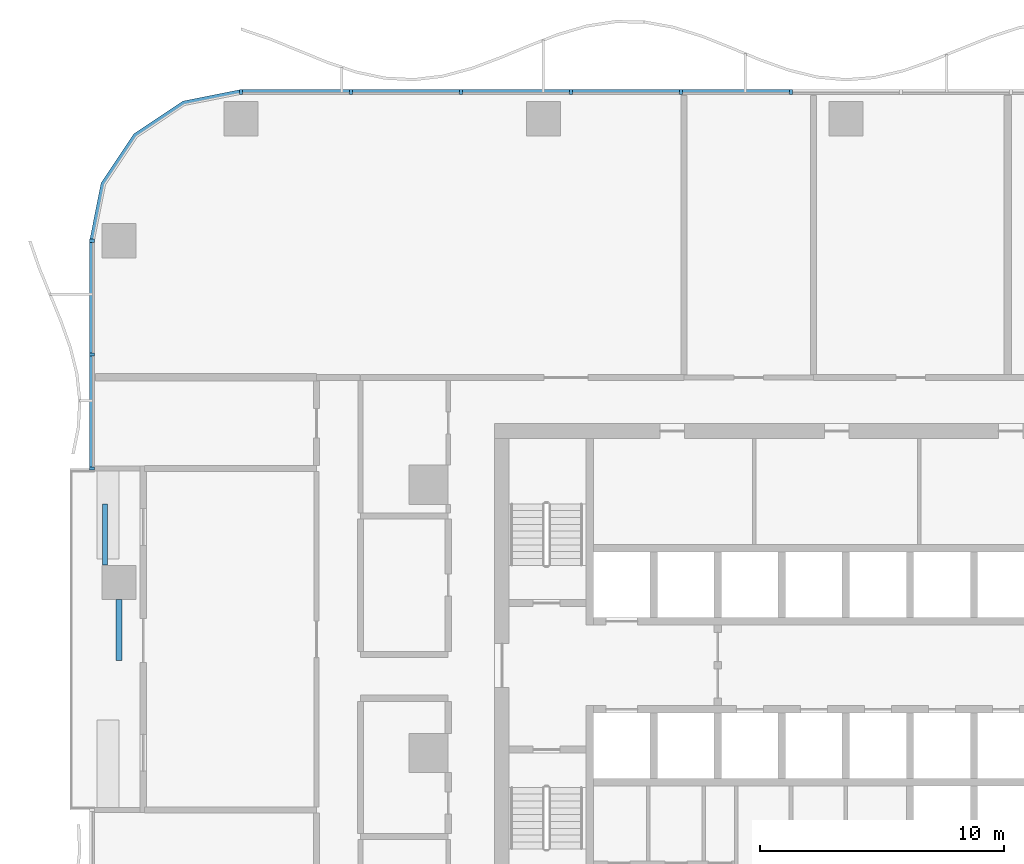
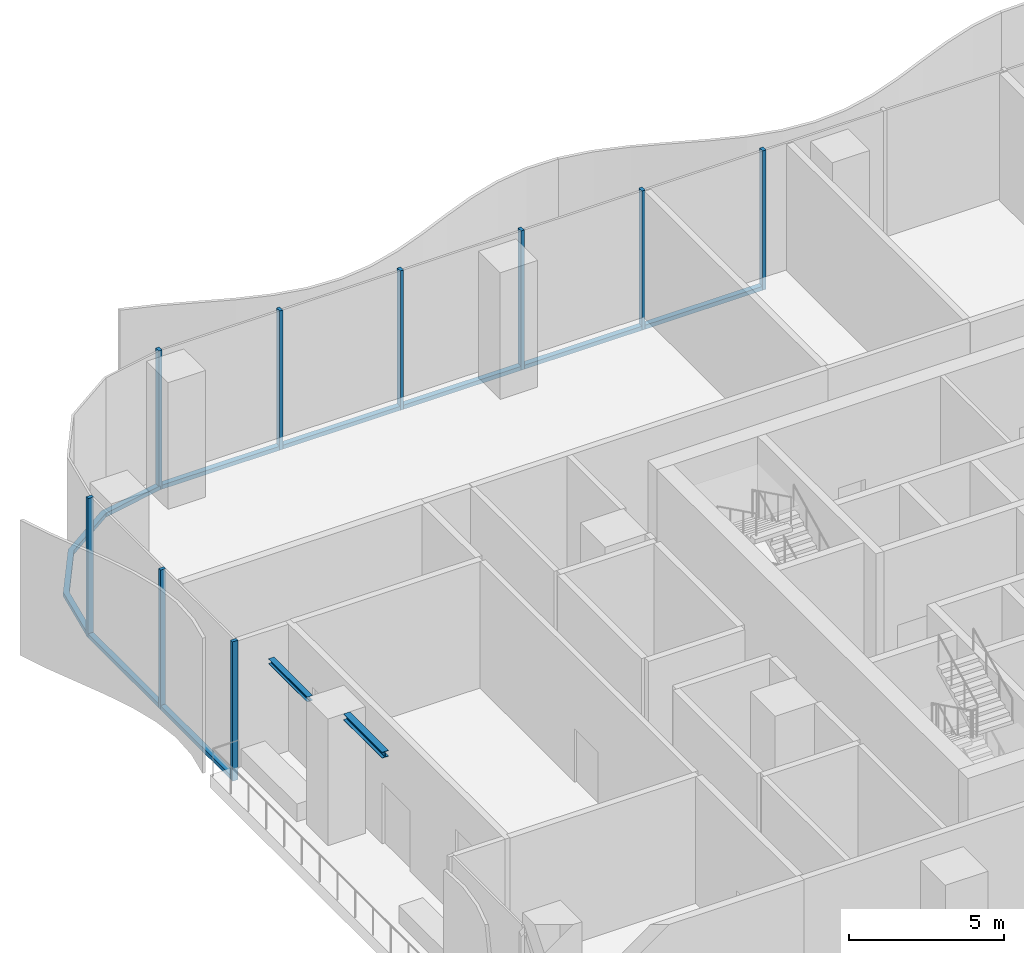
# One storey, part 4 of 21: 17 members, 2 beams, 3 elements without a shape of their own.
"""IFC4 building model written with IfcOpenShell, lengths in metres."""

import ifcopenshell
import ifcopenshell.guid

model = None  # the IFC model being written
_history = None  # IfcOwnerHistory: only IFC2X3 demands one
_inside = {}  # id of a spatial element -> (the spatial element, [elements in it])
_under = {}  # id of a project, library or spatial element -> (it, [spatial elements below it])
_declared = {}  # id of a project -> (the project, [libraries it declares])
_typed = {}  # id of a type object -> (the type object, [elements of that type])
_made_of = {}  # id of a material, layer set ... -> (it, [elements and type objects made of it])


def new_model(schema):
    """Start an empty IFC model of exactly this schema.

    Asked for "IFC4X3", IfcOpenShell would pick the latest addendum, in which some entities
    have other attributes; the version numbers below select the first issue.
    IFC2X3 requires an IfcOwnerHistory on every rooted entity: one is made here for all.
    """
    global model, _history
    if schema == "IFC4X3":
        model = ifcopenshell.file(schema_version=(4, 3, 0, 0))
    else:
        model = ifcopenshell.file(schema=schema)
    _inside.clear()
    _under.clear()
    _declared.clear()
    _typed.clear()
    _made_of.clear()
    _history = None
    if model.schema == "IFC2X3":
        org = make("IfcOrganization", Name="unknown")
        user = make(
            "IfcPersonAndOrganization",
            ThePerson=make("IfcPerson", FamilyName="unknown"),
            TheOrganization=org,
        )
        app = make(
            "IfcApplication",
            ApplicationDeveloper=org,
            Version="unknown",
            ApplicationFullName="unknown",
            ApplicationIdentifier="unknown",
        )
        _history = make(
            "IfcOwnerHistory",
            OwningUser=user,
            OwningApplication=app,
            ChangeAction="ADDED",
            CreationDate=0,
        )
    return model


def make(cls, **values):
    """One entity of the class cls with the attributes given. An attribute that is None is left unset."""
    return model.create_entity(
        cls, **{name: value for name, value in values.items() if value is not None}
    )


def rooted(cls, **values):
    """An entity with a GlobalId (a new one), such as an element, a storey or a relation."""
    return make(cls, GlobalId=ifcopenshell.guid.new(), OwnerHistory=_history, **values)


def si_unit(unit_type, name, prefix=None):
    """IfcSIUnit, for example si_unit("LENGTHUNIT", "METRE", prefix="MILLI")."""
    return make("IfcSIUnit", UnitType=unit_type, Prefix=prefix, Name=name)


def assignment(units):
    """IfcUnitAssignment: the units of a project."""
    return None if units is None else make("IfcUnitAssignment", Units=units)


def point(xyz):
    """IfcCartesianPoint."""
    return None if xyz is None else make("IfcCartesianPoint", Coordinates=xyz)


def direction(xyz):
    """IfcDirection."""
    return None if xyz is None else make("IfcDirection", DirectionRatios=xyz)


def frame(location, z_axis=None, x_axis=None):
    """IfcAxis2Placement3D, a coordinate frame: its origin and axes. An axis left out is left unset."""
    return make(
        "IfcAxis2Placement3D",
        Location=point(location),
        Axis=direction(z_axis),
        RefDirection=direction(x_axis),
    )


def frame_2d(location, x_axis=None):
    """IfcAxis2Placement2D, a coordinate frame in the plane: its origin and x axis."""
    return make(
        "IfcAxis2Placement2D", Location=point(location), RefDirection=direction(x_axis)
    )


def origin():
    """The frame at (0, 0, 0) with its axes left unset."""
    return frame((0.0, 0.0, 0.0))


def origin_2d():
    """The frame at (0, 0) in the plane with its x axis left unset."""
    return frame_2d((0.0, 0.0))


def place(relative_to, where):
    """IfcLocalPlacement: puts the frame where relative to a parent placement (None: the world)."""
    return make(
        "IfcLocalPlacement", PlacementRelTo=relative_to, RelativePlacement=where
    )


def context(
    kind, dimensions, precision=None, world=None, true_north=None, identifier=None
):
    """IfcGeometricRepresentationContext, for example the 3D "Model" context."""
    return make(
        "IfcGeometricRepresentationContext",
        ContextIdentifier=identifier,
        ContextType=kind,
        CoordinateSpaceDimension=dimensions,
        Precision=precision,
        WorldCoordinateSystem=world,
        TrueNorth=true_north,
    )


def subcontext(parent, identifier, kind, view, scale=None):
    """IfcGeometricRepresentationSubContext, for example "Body" below "Model"."""
    return make(
        "IfcGeometricRepresentationSubContext",
        ContextIdentifier=identifier,
        ContextType=kind,
        ParentContext=parent,
        TargetScale=scale,
        TargetView=view,
    )


def project(units=None, contexts=None):
    """IfcProject with its units and contexts."""
    return rooted(
        "IfcProject",
        Name="project",
        RepresentationContexts=contexts,
        UnitsInContext=assignment(units),
    )


def spatial(cls, under=None, at=None, **own):
    """A site, building, storey or space (cls), placed at a placement, below another one or the project."""
    s = rooted(cls, ObjectPlacement=at, **own)
    if under is not None:
        _under.setdefault(under.id(), (under, []))[1].append(s)
    return s


def polyline(points):
    """IfcPolyline through the points."""
    return make("IfcPolyline", Points=[point(p) for p in points])


def profile(cls, at=None, kind="AREA", **sizes):
    """A parametric profile (cls). Its sizes go by their IFC names, for example OverallWidth=200.0."""
    return make(cls, ProfileType=kind, Position=at, **sizes)


def rectangle(**sizes):
    """IfcRectangleProfileDef."""
    return profile("IfcRectangleProfileDef", **sizes)


def i_section(**sizes):
    """IfcIShapeProfileDef."""
    return profile("IfcIShapeProfileDef", **sizes)


def outline(outer, holes=None, kind="AREA"):
    """IfcArbitraryClosedProfileDef: a profile drawn as a closed curve; with holes, ...WithVoids."""
    if holes is None:
        return make("IfcArbitraryClosedProfileDef", ProfileType=kind, OuterCurve=outer)
    return make(
        "IfcArbitraryProfileDefWithVoids",
        ProfileType=kind,
        OuterCurve=outer,
        InnerCurves=holes,
    )


def extrude(swept, where, along, depth):
    """IfcExtrudedAreaSolid: the profile swept, set in the frame where, extruded along a direction by depth."""
    return make(
        "IfcExtrudedAreaSolid",
        SweptArea=swept,
        Position=where,
        ExtrudedDirection=direction(along),
        Depth=depth,
    )


def shape(context_of_items, identifier, shape_type, items):
    """IfcShapeRepresentation: the items that make up one representation, for example the "Body"."""
    return make(
        "IfcShapeRepresentation",
        ContextOfItems=context_of_items,
        RepresentationIdentifier=identifier,
        RepresentationType=shape_type,
        Items=items,
    )


def material(Name=None, Category=None):
    """IfcMaterial."""
    return make("IfcMaterial", Name=Name, Category=Category)


def material_profile(
    of_material, cross_section, Name=None, Category=None, Priority=None
):
    """IfcMaterialProfile: a cross section and its material."""
    return make(
        "IfcMaterialProfile",
        Name=Name,
        Material=of_material,
        Profile=cross_section,
        Priority=Priority,
        Category=Category,
    )


def profile_set(profiles, Name=None, composite=None):
    """IfcMaterialProfileSet."""
    return make(
        "IfcMaterialProfileSet",
        Name=Name,
        MaterialProfiles=profiles,
        CompositeProfile=composite,
    )


def made_of(thing, what):
    """Note that an element or type object is made of a material, layer set ...; save() writes the relation."""
    if what is not None:
        _made_of.setdefault(what.id(), (what, []))[1].append(thing)
    return thing


def type_object(cls, material=None, **own):
    """A type object (cls), such as IfcWallType, which elements share."""
    return made_of(rooted(cls, **own), material)


def element(
    cls,
    number,
    at=None,
    inside=None,
    cuts=None,
    type_object=None,
    material=None,
    context=None,
    identifier="Body",
    shape_type=None,
    held_by="IfcProductDefinitionShape",
    body=None,
    shapes=None,
    **own,
):
    """One element of the class cls, such as IfcWall. Its Tag is "e" and its number.

    at: its placement. inside: the storey or other place that contains it. cuts: it is an
    opening in that element (IfcRelVoidsElement). A single representation is given by context,
    identifier, shape_type and body (its items); several are given by shapes. held_by: the class
    of the entity that holds the representations. save() writes the other relations.
    """
    e = rooted(cls, Tag="e%d" % number, ObjectPlacement=at, **own)
    if body is not None:
        shapes = [shape(context, identifier, shape_type, body)]
    if shapes is not None:
        e.Representation = make(held_by, Representations=shapes)
    if inside is not None:
        _inside.setdefault(inside.id(), (inside, []))[1].append(e)
    if cuts is not None:
        rooted(
            "IfcRelVoidsElement", RelatingBuildingElement=cuts, RelatedOpeningElement=e
        )
    if type_object is not None:
        _typed.setdefault(type_object.id(), (type_object, []))[1].append(e)
    return made_of(e, material)


def aggregate(whole, parts):
    """IfcRelAggregates: a whole, such as a stair, and the parts it consists of."""
    return rooted("IfcRelAggregates", RelatingObject=whole, RelatedObjects=parts)


def save(model, path):
    """Write the relations noted so far, then the file.

    IfcRelAggregates (storeys below a building ...), IfcRelContainedInSpatialStructure (elements
    in a storey), IfcRelDefinesByType, IfcRelAssociatesMaterial and IfcRelDeclares: one each for
    every whole, place, type object, material and project.
    """
    for whole, parts in _under.values():
        aggregate(whole, parts)
    for where, things in _inside.values():
        rooted(
            "IfcRelContainedInSpatialStructure",
            RelatedElements=things,
            RelatingStructure=where,
        )
    for kind, things in _typed.values():
        rooted("IfcRelDefinesByType", RelatedObjects=things, RelatingType=kind)
    for what, things in _made_of.values():
        rooted("IfcRelAssociatesMaterial", RelatedObjects=things, RelatingMaterial=what)
    for by, libraries in _declared.values():
        rooted("IfcRelDeclares", RelatingContext=by, RelatedDefinitions=libraries)
    model.write(path)


model = new_model("IFC4")

# Units and contexts
model_context = context("Model", 3, precision=1e-05, world=origin(), true_north=direction((0.0, 1.0)))
body_context = subcontext(model_context, "Body", "Model", "MODEL_VIEW")
ifc_project = project(units=[si_unit("LENGTHUNIT", "METRE"), si_unit("AREAUNIT", "SQUARE_METRE"), si_unit("VOLUMEUNIT", "CUBIC_METRE"), si_unit("PLANEANGLEUNIT", "RADIAN"), si_unit("MASSUNIT", "GRAM", prefix="KILO")], contexts=[model_context])

# Site, building, storey
site_placement = place(None, origin())
site = spatial("IfcSite", under=ifc_project, at=site_placement, CompositionType="ELEMENT")
building_placement = place(site_placement, origin())
building = spatial("IfcBuilding", under=site, at=building_placement, Name="Mopane Tessera Tower", CompositionType="ELEMENT")
storey_placement = place(building_placement, frame((0.0, 0.0, 20.0)))
storey = spatial("IfcBuildingStorey", under=building, at=storey_placement, Name="L03", CompositionType="ELEMENT", Elevation=20.0)

# Curtain wall, members
ifc_material_1 = material(Name="Aluminium frame", Category="aluminium")
curtain_wall_type = type_object("IfcCurtainWallType", Name="Podium unitised wall", PredefinedType="NOTDEFINED", material=ifc_material_1)
curtain_wall_1_placement = place(storey_placement, origin())
curtain_wall_1 = element("IfcCurtainWall", 1, at=curtain_wall_1_placement, inside=storey, type_object=curtain_wall_type, Name="e:cw:L03:N:0", PredefinedType="NOTDEFINED")
ifc_material_2 = material(Name="Aluminium frame", Category="aluminium")
ifc_material_profile_1 = material_profile(ifc_material_2, rectangle(XDim=0.125, YDim=0.199951171875, at=origin_2d()))
ifc_profile_set_1 = profile_set([ifc_material_profile_1], Name="Aluminium frame")
member_type_1 = type_object("IfcMemberType", Name="Aluminium mullion 125 x 200", PredefinedType="MULLION", material=ifc_profile_set_1)
member_1_placement = place(storey_placement, frame((-2.254638671875, 27.10009765625, -0.5), z_axis=(0.0, 0.0, 1.0), x_axis=(-1.0, 0.0, 0.0)))
member_1 = element("IfcMember", 2, at=member_1_placement, type_object=member_type_1, Name="e:cw:L03:N:0:mu6", PredefinedType="MULLION", context=body_context, shape_type="SweptSolid", body=[
    extrude(rectangle(XDim=0.125, YDim=0.199951171875, at=origin_2d()), origin(), (0.0, 0.0, 1.0), 5.5),
])
member_2_placement = place(storey_placement, frame((-6.763671875, 27.10009765625, -0.5), z_axis=(0.0, 0.0, 1.0), x_axis=(-1.0, 0.0, 0.0)))
member_2 = element("IfcMember", 3, at=member_2_placement, type_object=member_type_1, Name="e:cw:L03:N:0:mu7", PredefinedType="MULLION", context=body_context, shape_type="SweptSolid", body=[
    extrude(rectangle(XDim=0.125, YDim=0.199951171875, at=origin_2d()), origin(), (0.0, 0.0, 1.0), 5.5),
])
member_3_placement = place(storey_placement, frame((-11.272705078125, 27.10009765625, -0.5), z_axis=(0.0, 0.0, 1.0), x_axis=(-1.0, 0.0, 0.0)))
member_3 = element("IfcMember", 4, at=member_3_placement, type_object=member_type_1, Name="e:cw:L03:N:0:mu8", PredefinedType="MULLION", context=body_context, shape_type="SweptSolid", body=[
    extrude(rectangle(XDim=0.125, YDim=0.199951171875, at=origin_2d()), origin(), (0.0, 0.0, 1.0), 5.5),
])
member_4_placement = place(storey_placement, frame((-15.78173828125, 27.10009765625, -0.5), z_axis=(0.0, 0.0, 1.0), x_axis=(-1.0, 0.0, 0.0)))
member_4 = element("IfcMember", 5, at=member_4_placement, type_object=member_type_1, Name="e:cw:L03:N:0:mu9", PredefinedType="MULLION", context=body_context, shape_type="SweptSolid", body=[
    extrude(rectangle(XDim=0.125, YDim=0.199951171875, at=origin_2d()), origin(), (0.0, 0.0, 1.0), 5.5),
])
member_5_placement = place(storey_placement, frame((-20.291015625, 27.10009765625, -0.5), z_axis=(0.0, 0.0, 1.0), x_axis=(-1.0, 0.0, 0.0)))
member_5 = element("IfcMember", 6, at=member_5_placement, type_object=member_type_1, Name="e:cw:L03:N:0:mu10", PredefinedType="MULLION", context=body_context, shape_type="SweptSolid", body=[
    extrude(rectangle(XDim=0.125, YDim=0.199951171875, at=origin_2d()), origin(), (0.0, 0.0, 1.0), 5.5),
])
member_6_placement = place(storey_placement, frame((-24.800048828125, 27.10009765625, -0.5), z_axis=(0.0, 0.0, 1.0), x_axis=(-1.0, 0.0, 0.0)))
member_6 = element("IfcMember", 7, at=member_6_placement, type_object=member_type_1, Name="e:cw:L03:N:0:mu11", PredefinedType="MULLION", context=body_context, shape_type="SweptSolid", body=[
    extrude(rectangle(XDim=0.125, YDim=0.199951171875, at=origin_2d()), origin(), (0.0, 0.0, 1.0), 5.5),
])

curtain_wall_2_placement = place(storey_placement, origin())
curtain_wall_2 = element("IfcCurtainWall", 8, at=curtain_wall_2_placement, inside=storey, type_object=curtain_wall_type, Name="e:cw:L03:W:0", PredefinedType="NOTDEFINED")
member_7_placement = place(storey_placement, frame((-30.89990234375, 21.0, -0.5), z_axis=(0.0, 0.0, 1.0), x_axis=(0.0, -1.0, 0.0)))
member_7 = element("IfcMember", 9, at=member_7_placement, type_object=member_type_1, Name="e:cw:L03:W:0:mu0", PredefinedType="MULLION", context=body_context, shape_type="SweptSolid", body=[
    extrude(rectangle(XDim=0.125, YDim=0.199951171875, at=origin_2d()), origin(), (0.0, 0.0, 1.0), 5.5),
])
member_8_placement = place(storey_placement, frame((-30.89990234375, 16.333251953125, -0.5), z_axis=(0.0, 0.0, 1.0), x_axis=(0.0, -1.0, 0.0)))
member_8 = element("IfcMember", 10, at=member_8_placement, type_object=member_type_1, Name="e:cw:L03:W:0:mu1", PredefinedType="MULLION", context=body_context, shape_type="SweptSolid", body=[
    extrude(rectangle(XDim=0.125, YDim=0.199951171875, at=origin_2d()), origin(), (0.0, 0.0, 1.0), 5.5),
])
member_9_placement = place(storey_placement, frame((-30.89990234375, 11.666748046875, -0.5), z_axis=(0.0, 0.0, 1.0), x_axis=(0.0, -1.0, 0.0)))
member_9 = element("IfcMember", 11, at=member_9_placement, type_object=member_type_1, Name="e:cw:L03:W:0:mu2", PredefinedType="MULLION", context=body_context, shape_type="SweptSolid", body=[
    extrude(rectangle(XDim=0.125, YDim=0.199951171875, at=origin_2d()), origin(), (0.0, 0.0, 1.0), 5.5),
])

# Member
ifc_material_3 = material(Name="Aluminium frame", Category="aluminium")
ifc_material_profile_2 = material_profile(ifc_material_3, rectangle(XDim=0.199951171875, YDim=0.159912109375, at=origin_2d()))
ifc_profile_set_2 = profile_set([ifc_material_profile_2], Name="Aluminium frame")
member_type_2 = type_object("IfcMemberType", Name="Aluminium transom 200 x 160", PredefinedType="USERDEFINED", material=ifc_profile_set_2)
member_10_placement = place(storey_placement, frame((-2.317138671875, 27.10009765625, -0.419921875), z_axis=(-1.0, 0.0, 0.0), x_axis=(0.0, -1.0, 0.0)))
member_10 = element("IfcMember", 12, at=member_10_placement, type_object=member_type_2, Name="e:cw:L03:N:0:tr6", ObjectType="TRANSOM", PredefinedType="USERDEFINED", context=body_context, shape_type="SweptSolid", body=[
    extrude(rectangle(XDim=0.199951171875, YDim=0.159912109375, at=origin_2d()), origin(), (0.0, 0.0, 1.0), 4.384033203125),
])

member_11_placement = place(storey_placement, frame((-6.826171875, 27.10009765625, -0.419921875), z_axis=(-1.0, 0.0, 0.0), x_axis=(0.0, -1.0, 0.0)))
member_11 = element("IfcMember", 13, at=member_11_placement, type_object=member_type_2, Name="e:cw:L03:N:0:tr7", ObjectType="TRANSOM", PredefinedType="USERDEFINED", context=body_context, shape_type="SweptSolid", body=[
    extrude(rectangle(XDim=0.199951171875, YDim=0.159912109375, at=origin_2d()), origin(), (0.0, 0.0, 1.0), 4.384033203125),
])

member_12_placement = place(storey_placement, frame((-11.335205078125, 27.10009765625, -0.419921875), z_axis=(-1.0, 0.0, 0.0), x_axis=(0.0, -1.0, 0.0)))
member_12 = element("IfcMember", 14, at=member_12_placement, type_object=member_type_2, Name="e:cw:L03:N:0:tr8", ObjectType="TRANSOM", PredefinedType="USERDEFINED", context=body_context, shape_type="SweptSolid", body=[
    extrude(rectangle(XDim=0.199951171875, YDim=0.159912109375, at=origin_2d()), origin(), (0.0, 0.0, 1.0), 4.384033203125),
])

member_13_placement = place(storey_placement, frame((-15.84423828125, 27.10009765625, -0.419921875), z_axis=(-1.0, 0.0, 0.0), x_axis=(0.0, -1.0, 0.0)))
member_13 = element("IfcMember", 15, at=member_13_placement, type_object=member_type_2, Name="e:cw:L03:N:0:tr9", ObjectType="TRANSOM", PredefinedType="USERDEFINED", context=body_context, shape_type="SweptSolid", body=[
    extrude(rectangle(XDim=0.199951171875, YDim=0.159912109375, at=origin_2d()), origin(), (0.0, 0.0, 1.0), 4.38427734375),
])

member_14_placement = place(storey_placement, frame((-20.353515625, 27.10009765625, -0.419921875), z_axis=(-1.0, 0.0, 0.0), x_axis=(0.0, -1.0, 0.0)))
member_14 = element("IfcMember", 16, at=member_14_placement, type_object=member_type_2, Name="e:cw:L03:N:0:tr10", ObjectType="TRANSOM", PredefinedType="USERDEFINED", context=body_context, shape_type="SweptSolid", body=[
    extrude(rectangle(XDim=0.199951171875, YDim=0.159912109375, at=origin_2d()), origin(), (0.0, 0.0, 1.0), 4.384033203125),
])

aggregate(curtain_wall_1, [member_1, member_2, member_3, member_4, member_5, member_6, member_10, member_11, member_12, member_13, member_14])

# Curtain wall, member
curtain_wall_3_placement = place(storey_placement, origin())
curtain_wall_3 = element("IfcCurtainWall", 17, at=curtain_wall_3_placement, inside=storey, type_object=curtain_wall_type, Name="e:cw:L03:CN", PredefinedType="NOTDEFINED")
member_15_placement = place(storey_placement, frame((0.0, 0.0, -0.5)))
member_15 = element("IfcMember", 18, at=member_15_placement, type_object=member_type_2, Name="e:cw:L03:CN:tr", ObjectType="TRANSOM", PredefinedType="USERDEFINED", context=body_context, shape_type="SweptSolid", body=[
    extrude(outline(polyline([(-24.800048828125, 27.0), (-27.09619140625, 26.543212890625), (-29.042724609375, 25.24267578125), (-30.34326171875, 23.296142578125), (-30.800048828125, 21.0), (-31.0, 21.0), (-30.528076171875, 23.37255859375), (-29.18408203125, 25.384033203125), (-27.172607421875, 26.72802734375), (-24.800048828125, 27.199951171875), (-24.800048828125, 27.0)])), origin(), (0.0, 0.0, 1.0), 0.159912109375),
])
aggregate(curtain_wall_3, [member_15])

# Member
member_16_placement = place(storey_placement, frame((-30.89990234375, 20.9375, -0.419921875), z_axis=(0.0, -1.0, 0.0), x_axis=(1.0, 0.0, 0.0)))
member_16 = element("IfcMember", 19, at=member_16_placement, type_object=member_type_2, Name="e:cw:L03:W:0:tr0", ObjectType="TRANSOM", PredefinedType="USERDEFINED", context=body_context, shape_type="SweptSolid", body=[
    extrude(rectangle(XDim=0.199951171875, YDim=0.159912109375, at=origin_2d()), origin(), (0.0, 0.0, 1.0), 4.541748046875),
])

member_17_placement = place(storey_placement, frame((-30.89990234375, 16.270751953125, -0.419921875), z_axis=(0.0, -1.0, 0.0), x_axis=(1.0, 0.0, 0.0)))
member_17 = element("IfcMember", 20, at=member_17_placement, type_object=member_type_2, Name="e:cw:L03:W:0:tr1", ObjectType="TRANSOM", PredefinedType="USERDEFINED", context=body_context, shape_type="SweptSolid", body=[
    extrude(rectangle(XDim=0.199951171875, YDim=0.159912109375, at=origin_2d()), origin(), (0.0, 0.0, 1.0), 4.54150390625),
])

aggregate(curtain_wall_2, [member_7, member_8, member_9, member_16, member_17])

# Beams
ifc_material_4 = material(Name="Structural steel S460", Category="steel")
ifc_material_profile_3 = material_profile(ifc_material_4, i_section(OverallWidth=0.239990234375, OverallDepth=0.239990234375, WebThickness=0.010009765625, FlangeThickness=0.01708984375, FilletRadius=0.02099609375, at=origin_2d()))
ifc_profile_set_3 = profile_set([ifc_material_profile_3], Name="Structural steel S460")
beam_type_1 = type_object("IfcBeamType", Name="Terrace spandrel beam HE 240 B", PredefinedType="SPANDREL", material=ifc_profile_set_3)
beam_1_placement = place(storey_placement, frame((-29.800048828125, 6.297119140625, 4.8798828125), z_axis=(0.0, -1.0, 0.0), x_axis=(1.0, 0.0, 0.0)))
element("IfcBeam", 21, at=beam_1_placement, inside=storey, type_object=beam_type_1, Name="Terrace spandrel beam N3 L04", PredefinedType="SPANDREL", context=body_context, shape_type="SweptSolid", body=[
    extrude(i_section(OverallWidth=0.239990234375, OverallDepth=0.239990234375, WebThickness=0.010009765625, FlangeThickness=0.01708984375, FilletRadius=0.02099609375, at=origin_2d()), origin(), (0.0, 0.0, 1.0), 2.5),
])
ifc_material_5 = material(Name="Structural steel S460", Category="steel")
ifc_material_profile_4 = material_profile(ifc_material_5, i_section(OverallWidth=0.199951171875, OverallDepth=0.199951171875, WebThickness=0.009033203125, FlangeThickness=0.014892578125, FilletRadius=0.01806640625, at=origin_2d()))
ifc_profile_set_4 = profile_set([ifc_material_profile_4], Name="Structural steel S460")
beam_type_2 = type_object("IfcBeamType", Name="Terrace trimmer beam HE 200 B", PredefinedType="BEAM", material=ifc_profile_set_4)
beam_2_placement = place(storey_placement, frame((-30.360107421875, 7.702880859375, 4.89990234375), z_axis=(0.0, 1.0, 0.0), x_axis=(-1.0, 0.0, 0.0)))
element("IfcBeam", 22, at=beam_2_placement, inside=storey, type_object=beam_type_2, Name="Terrace trimmer beam N3 L04", PredefinedType="BEAM", context=body_context, shape_type="SweptSolid", body=[
    extrude(i_section(OverallWidth=0.199951171875, OverallDepth=0.199951171875, WebThickness=0.009033203125, FlangeThickness=0.014892578125, FilletRadius=0.01806640625, at=origin_2d()), origin(), (0.0, 0.0, 1.0), 2.5),
])

save(model, "model.ifc")
